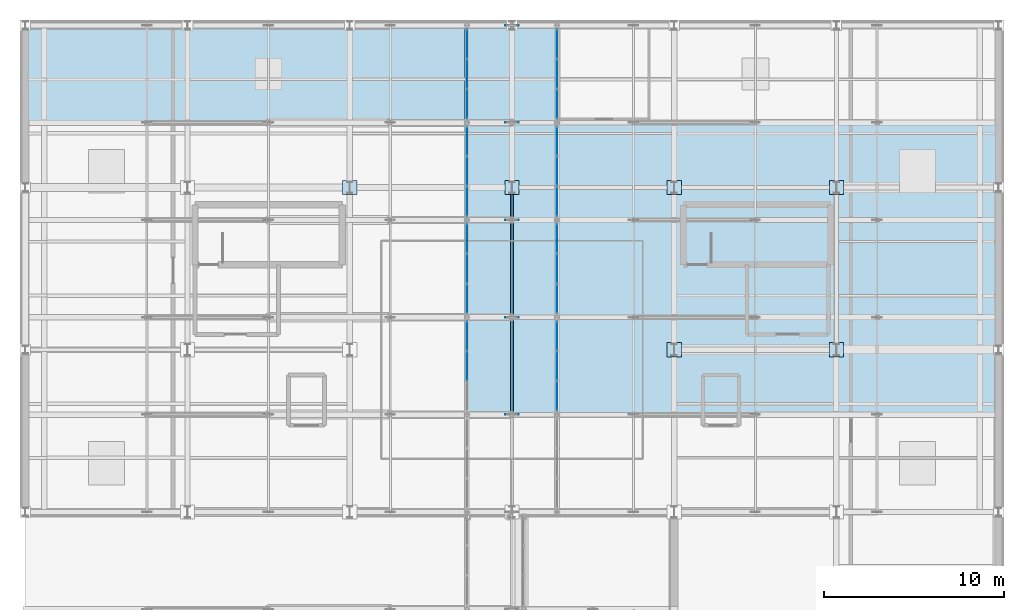
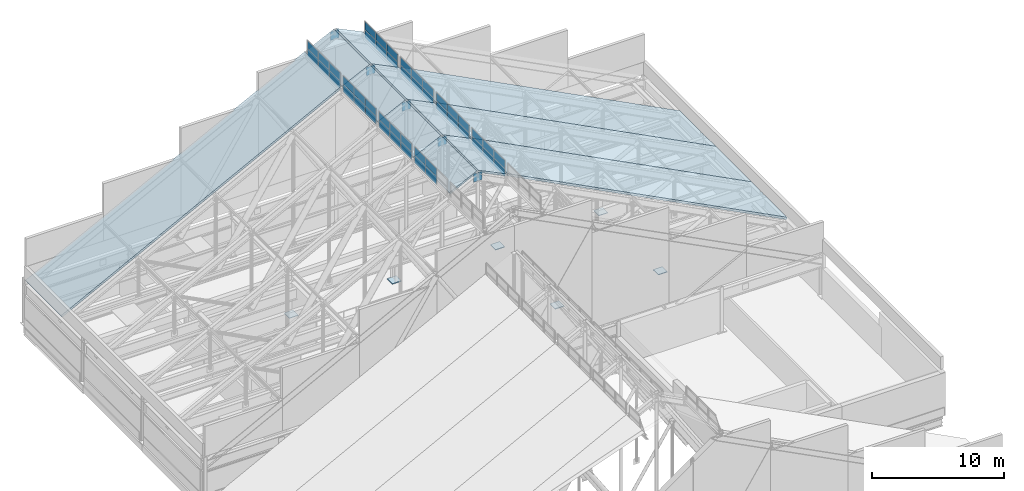
# One storey, part 71 of 84: 57 plates, 12 slabs, 8 elements without a shape of their own.
"""IFC4 building model written with IfcOpenShell, lengths in metres."""

import ifcopenshell
import ifcopenshell.guid

model = None  # the IFC model being written
_history = None  # IfcOwnerHistory: only IFC2X3 demands one
_inside = {}  # id of a spatial element -> (the spatial element, [elements in it])
_under = {}  # id of a project, library or spatial element -> (it, [spatial elements below it])
_declared = {}  # id of a project -> (the project, [libraries it declares])
_typed = {}  # id of a type object -> (the type object, [elements of that type])
_made_of = {}  # id of a material, layer set ... -> (it, [elements and type objects made of it])


def new_model(schema):
    """Start an empty IFC model of exactly this schema.

    Asked for "IFC4X3", IfcOpenShell would pick the latest addendum, in which some entities
    have other attributes; the version numbers below select the first issue.
    IFC2X3 requires an IfcOwnerHistory on every rooted entity: one is made here for all.
    """
    global model, _history
    if schema == "IFC4X3":
        model = ifcopenshell.file(schema_version=(4, 3, 0, 0))
    else:
        model = ifcopenshell.file(schema=schema)
    _inside.clear()
    _under.clear()
    _declared.clear()
    _typed.clear()
    _made_of.clear()
    _history = None
    if model.schema == "IFC2X3":
        org = make("IfcOrganization", Name="unknown")
        user = make(
            "IfcPersonAndOrganization",
            ThePerson=make("IfcPerson", FamilyName="unknown"),
            TheOrganization=org,
        )
        app = make(
            "IfcApplication",
            ApplicationDeveloper=org,
            Version="unknown",
            ApplicationFullName="unknown",
            ApplicationIdentifier="unknown",
        )
        _history = make(
            "IfcOwnerHistory",
            OwningUser=user,
            OwningApplication=app,
            ChangeAction="ADDED",
            CreationDate=0,
        )
    return model


def make(cls, **values):
    """One entity of the class cls with the attributes given. An attribute that is None is left unset."""
    return model.create_entity(
        cls, **{name: value for name, value in values.items() if value is not None}
    )


def rooted(cls, **values):
    """An entity with a GlobalId (a new one), such as an element, a storey or a relation."""
    return make(cls, GlobalId=ifcopenshell.guid.new(), OwnerHistory=_history, **values)


def si_unit(unit_type, name, prefix=None):
    """IfcSIUnit, for example si_unit("LENGTHUNIT", "METRE", prefix="MILLI")."""
    return make("IfcSIUnit", UnitType=unit_type, Prefix=prefix, Name=name)


def assignment(units):
    """IfcUnitAssignment: the units of a project."""
    return None if units is None else make("IfcUnitAssignment", Units=units)


def point(xyz):
    """IfcCartesianPoint."""
    return None if xyz is None else make("IfcCartesianPoint", Coordinates=xyz)


def direction(xyz):
    """IfcDirection."""
    return None if xyz is None else make("IfcDirection", DirectionRatios=xyz)


def frame(location, z_axis=None, x_axis=None):
    """IfcAxis2Placement3D, a coordinate frame: its origin and axes. An axis left out is left unset."""
    return make(
        "IfcAxis2Placement3D",
        Location=point(location),
        Axis=direction(z_axis),
        RefDirection=direction(x_axis),
    )


def frame_2d(location, x_axis=None):
    """IfcAxis2Placement2D, a coordinate frame in the plane: its origin and x axis."""
    return make(
        "IfcAxis2Placement2D", Location=point(location), RefDirection=direction(x_axis)
    )


def origin():
    """The frame at (0, 0, 0) with its axes left unset."""
    return frame((0.0, 0.0, 0.0))


def origin_2d():
    """The frame at (0, 0) in the plane with its x axis left unset."""
    return frame_2d((0.0, 0.0))


def place(relative_to, where):
    """IfcLocalPlacement: puts the frame where relative to a parent placement (None: the world)."""
    return make(
        "IfcLocalPlacement", PlacementRelTo=relative_to, RelativePlacement=where
    )


def context(
    kind, dimensions, precision=None, world=None, true_north=None, identifier=None
):
    """IfcGeometricRepresentationContext, for example the 3D "Model" context."""
    return make(
        "IfcGeometricRepresentationContext",
        ContextIdentifier=identifier,
        ContextType=kind,
        CoordinateSpaceDimension=dimensions,
        Precision=precision,
        WorldCoordinateSystem=world,
        TrueNorth=true_north,
    )


def subcontext(parent, identifier, kind, view, scale=None):
    """IfcGeometricRepresentationSubContext, for example "Body" below "Model"."""
    return make(
        "IfcGeometricRepresentationSubContext",
        ContextIdentifier=identifier,
        ContextType=kind,
        ParentContext=parent,
        TargetScale=scale,
        TargetView=view,
    )


def project(units=None, contexts=None):
    """IfcProject with its units and contexts."""
    return rooted(
        "IfcProject",
        Name="project",
        RepresentationContexts=contexts,
        UnitsInContext=assignment(units),
    )


def spatial(cls, under=None, at=None, **own):
    """A site, building, storey or space (cls), placed at a placement, below another one or the project."""
    s = rooted(cls, ObjectPlacement=at, **own)
    if under is not None:
        _under.setdefault(under.id(), (under, []))[1].append(s)
    return s


def polyline(points):
    """IfcPolyline through the points."""
    return make("IfcPolyline", Points=[point(p) for p in points])


def profile(cls, at=None, kind="AREA", **sizes):
    """A parametric profile (cls). Its sizes go by their IFC names, for example OverallWidth=200.0."""
    return make(cls, ProfileType=kind, Position=at, **sizes)


def rectangle(**sizes):
    """IfcRectangleProfileDef."""
    return profile("IfcRectangleProfileDef", **sizes)


def outline(outer, holes=None, kind="AREA"):
    """IfcArbitraryClosedProfileDef: a profile drawn as a closed curve; with holes, ...WithVoids."""
    if holes is None:
        return make("IfcArbitraryClosedProfileDef", ProfileType=kind, OuterCurve=outer)
    return make(
        "IfcArbitraryProfileDefWithVoids",
        ProfileType=kind,
        OuterCurve=outer,
        InnerCurves=holes,
    )


def extrude(swept, where, along, depth):
    """IfcExtrudedAreaSolid: the profile swept, set in the frame where, extruded along a direction by depth."""
    return make(
        "IfcExtrudedAreaSolid",
        SweptArea=swept,
        Position=where,
        ExtrudedDirection=direction(along),
        Depth=depth,
    )


def shape(context_of_items, identifier, shape_type, items):
    """IfcShapeRepresentation: the items that make up one representation, for example the "Body"."""
    return make(
        "IfcShapeRepresentation",
        ContextOfItems=context_of_items,
        RepresentationIdentifier=identifier,
        RepresentationType=shape_type,
        Items=items,
    )


def material(Name=None, Category=None):
    """IfcMaterial."""
    return make("IfcMaterial", Name=Name, Category=Category)


def layer(
    of_material, thickness, ventilated=None, Name=None, Category=None, Priority=None
):
    """IfcMaterialLayer: one layer of a wall or slab, of a material (None: an air gap)."""
    return make(
        "IfcMaterialLayer",
        Material=of_material,
        LayerThickness=thickness,
        IsVentilated=ventilated,
        Name=Name,
        Category=Category,
        Priority=Priority,
    )


def layer_set(layers, Name=None):
    """IfcMaterialLayerSet."""
    return make("IfcMaterialLayerSet", MaterialLayers=layers, LayerSetName=Name)


def made_of(thing, what):
    """Note that an element or type object is made of a material, layer set ...; save() writes the relation."""
    if what is not None:
        _made_of.setdefault(what.id(), (what, []))[1].append(thing)
    return thing


def type_object(cls, material=None, **own):
    """A type object (cls), such as IfcWallType, which elements share."""
    return made_of(rooted(cls, **own), material)


def element(
    cls,
    number,
    at=None,
    inside=None,
    cuts=None,
    type_object=None,
    material=None,
    context=None,
    identifier="Body",
    shape_type=None,
    held_by="IfcProductDefinitionShape",
    body=None,
    shapes=None,
    **own,
):
    """One element of the class cls, such as IfcWall. Its Tag is "e" and its number.

    at: its placement. inside: the storey or other place that contains it. cuts: it is an
    opening in that element (IfcRelVoidsElement). A single representation is given by context,
    identifier, shape_type and body (its items); several are given by shapes. held_by: the class
    of the entity that holds the representations. save() writes the other relations.
    """
    e = rooted(cls, Tag="e%d" % number, ObjectPlacement=at, **own)
    if body is not None:
        shapes = [shape(context, identifier, shape_type, body)]
    if shapes is not None:
        e.Representation = make(held_by, Representations=shapes)
    if inside is not None:
        _inside.setdefault(inside.id(), (inside, []))[1].append(e)
    if cuts is not None:
        rooted(
            "IfcRelVoidsElement", RelatingBuildingElement=cuts, RelatedOpeningElement=e
        )
    if type_object is not None:
        _typed.setdefault(type_object.id(), (type_object, []))[1].append(e)
    return made_of(e, material)


def aggregate(whole, parts):
    """IfcRelAggregates: a whole, such as a stair, and the parts it consists of."""
    return rooted("IfcRelAggregates", RelatingObject=whole, RelatedObjects=parts)


def save(model, path):
    """Write the relations noted so far, then the file.

    IfcRelAggregates (storeys below a building ...), IfcRelContainedInSpatialStructure (elements
    in a storey), IfcRelDefinesByType, IfcRelAssociatesMaterial and IfcRelDeclares: one each for
    every whole, place, type object, material and project.
    """
    for whole, parts in _under.values():
        aggregate(whole, parts)
    for where, things in _inside.values():
        rooted(
            "IfcRelContainedInSpatialStructure",
            RelatedElements=things,
            RelatingStructure=where,
        )
    for kind, things in _typed.values():
        rooted("IfcRelDefinesByType", RelatedObjects=things, RelatingType=kind)
    for what, things in _made_of.values():
        rooted("IfcRelAssociatesMaterial", RelatedObjects=things, RelatingMaterial=what)
    for by, libraries in _declared.values():
        rooted("IfcRelDeclares", RelatingContext=by, RelatedDefinitions=libraries)
    model.write(path)


model = new_model("IFC4")

# Units and contexts
model_context = context("Model", 3, precision=1e-05, world=origin(), true_north=direction((0.0, 1.0)))
body_context = subcontext(model_context, "Body", "Model", "MODEL_VIEW")
ifc_project = project(units=[si_unit("LENGTHUNIT", "METRE"), si_unit("AREAUNIT", "SQUARE_METRE"), si_unit("VOLUMEUNIT", "CUBIC_METRE"), si_unit("PLANEANGLEUNIT", "RADIAN"), si_unit("MASSUNIT", "GRAM", prefix="KILO")], contexts=[model_context])

# Site, building, storey
site_placement = place(None, origin())
site = spatial("IfcSite", under=ifc_project, at=site_placement, CompositionType="ELEMENT")
building_placement = place(site_placement, origin())
building = spatial("IfcBuilding", under=site, at=building_placement, Name="Sundgate Opera House", CompositionType="ELEMENT")
storey_placement = place(building_placement, frame((0.0, 0.0, 30.60009765625)))
storey = spatial("IfcBuildingStorey", under=building, at=storey_placement, Name="L06", CompositionType="ELEMENT", Elevation=30.60009765625)

# Curtain wall, plates
ifc_material_1 = material(Name="Anodized aluminium and low-iron glass", Category="aluminium")
ifc_layer_1 = layer(ifc_material_1, 0.169921875)
ifc_layer_set_1 = layer_set([ifc_layer_1], Name="Anodized aluminium and low-iron glass")
curtain_wall_type = type_object("IfcCurtainWallType", Name="CW-LANTERN-POLY", PredefinedType="NOTDEFINED", material=ifc_layer_set_1)
curtain_wall_1_placement = place(storey_placement, origin())
curtain_wall_1 = element("IfcCurtainWall", 1, at=curtain_wall_1_placement, inside=storey, type_object=curtain_wall_type, Name="L06 Curtain Wall CW181", PredefinedType="NOTDEFINED")
ifc_material_2 = material(Name="Polychrome stained-glass skylight glazing", Category="glass")
ifc_layer_2 = layer(ifc_material_2, 0.028076171875)
ifc_layer_set_2 = layer_set([ifc_layer_2], Name="Polychrome stained-glass skylight glazing")
plate_type_1 = type_object("IfcPlateType", Name="CWP-POLY-28", PredefinedType="CURTAIN_PANEL", material=ifc_layer_set_2)
plate_1_placement = place(storey_placement, frame((51.5, 69.7666015625, 16.219970703125), z_axis=(0.0, 0.0, 1.0), x_axis=(0.0, -1.0, 0.0)))
plate_1 = element("IfcPlate", 2, at=plate_1_placement, type_object=plate_type_1, Name="CW181 Panel 1", PredefinedType="CURTAIN_PANEL", context=body_context, shape_type="SweptSolid", body=[
    extrude(rectangle(XDim=1.626708984375, YDim=0.028076171875, at=origin_2d()), origin(), (0.0, 0.0, 1.0), 0.7099609375),
])
plate_2_placement = place(storey_placement, frame((51.5, 69.7666015625, 16.969970703125), z_axis=(0.0, 0.0, 1.0), x_axis=(0.0, -1.0, 0.0)))
plate_2 = element("IfcPlate", 3, at=plate_2_placement, type_object=plate_type_1, Name="CW181 Panel 2", PredefinedType="CURTAIN_PANEL", context=body_context, shape_type="SweptSolid", body=[
    extrude(rectangle(XDim=1.626708984375, YDim=0.028076171875, at=origin_2d()), origin(), (0.0, 0.0, 1.0), 0.7099609375),
])
plate_3_placement = place(storey_placement, frame((51.5, 68.10009765625, 16.219970703125), z_axis=(0.0, 0.0, 1.0), x_axis=(0.0, -1.0, 0.0)))
plate_3 = element("IfcPlate", 4, at=plate_3_placement, type_object=plate_type_1, Name="CW181 Panel 3", PredefinedType="CURTAIN_PANEL", context=body_context, shape_type="SweptSolid", body=[
    extrude(rectangle(XDim=1.626708984375, YDim=0.028076171875, at=origin_2d()), origin(), (0.0, 0.0, 1.0), 0.7099609375),
])
plate_4_placement = place(storey_placement, frame((51.5, 68.10009765625, 16.969970703125), z_axis=(0.0, 0.0, 1.0), x_axis=(0.0, -1.0, 0.0)))
plate_4 = element("IfcPlate", 5, at=plate_4_placement, type_object=plate_type_1, Name="CW181 Panel 4", PredefinedType="CURTAIN_PANEL", context=body_context, shape_type="SweptSolid", body=[
    extrude(rectangle(XDim=1.626708984375, YDim=0.028076171875, at=origin_2d()), origin(), (0.0, 0.0, 1.0), 0.7099609375),
])
aggregate(curtain_wall_1, [plate_1, plate_2, plate_3, plate_4])

curtain_wall_2_placement = place(storey_placement, origin())
curtain_wall_2 = element("IfcCurtainWall", 6, at=curtain_wall_2_placement, inside=storey, type_object=curtain_wall_type, Name="L06 Curtain Wall CW182", PredefinedType="NOTDEFINED")
plate_5_placement = place(storey_placement, frame((56.5, 66.433349609375, 16.219970703125), z_axis=(0.0, 0.0, 1.0), x_axis=(0.0, 1.0, 0.0)))
plate_5 = element("IfcPlate", 7, at=plate_5_placement, type_object=plate_type_1, Name="CW182 Panel 1", PredefinedType="CURTAIN_PANEL", context=body_context, shape_type="SweptSolid", body=[
    extrude(rectangle(XDim=1.626708984375, YDim=0.028076171875, at=origin_2d()), origin(), (0.0, 0.0, 1.0), 0.7099609375),
])
plate_6_placement = place(storey_placement, frame((56.5, 66.433349609375, 16.969970703125), z_axis=(0.0, 0.0, 1.0), x_axis=(0.0, 1.0, 0.0)))
plate_6 = element("IfcPlate", 8, at=plate_6_placement, type_object=plate_type_1, Name="CW182 Panel 2", PredefinedType="CURTAIN_PANEL", context=body_context, shape_type="SweptSolid", body=[
    extrude(rectangle(XDim=1.626708984375, YDim=0.028076171875, at=origin_2d()), origin(), (0.0, 0.0, 1.0), 0.7099609375),
])
plate_7_placement = place(storey_placement, frame((56.5, 68.10009765625, 16.219970703125), z_axis=(0.0, 0.0, 1.0), x_axis=(0.0, 1.0, 0.0)))
plate_7 = element("IfcPlate", 9, at=plate_7_placement, type_object=plate_type_1, Name="CW182 Panel 3", PredefinedType="CURTAIN_PANEL", context=body_context, shape_type="SweptSolid", body=[
    extrude(rectangle(XDim=1.626708984375, YDim=0.028076171875, at=origin_2d()), origin(), (0.0, 0.0, 1.0), 0.7099609375),
])
plate_8_placement = place(storey_placement, frame((56.5, 68.10009765625, 16.969970703125), z_axis=(0.0, 0.0, 1.0), x_axis=(0.0, 1.0, 0.0)))
plate_8 = element("IfcPlate", 10, at=plate_8_placement, type_object=plate_type_1, Name="CW182 Panel 4", PredefinedType="CURTAIN_PANEL", context=body_context, shape_type="SweptSolid", body=[
    extrude(rectangle(XDim=1.626708984375, YDim=0.028076171875, at=origin_2d()), origin(), (0.0, 0.0, 1.0), 0.7099609375),
])
plate_9_placement = place(storey_placement, frame((56.5, 69.7666015625, 16.219970703125), z_axis=(0.0, 0.0, 1.0), x_axis=(0.0, 1.0, 0.0)))
plate_9 = element("IfcPlate", 11, at=plate_9_placement, type_object=plate_type_1, Name="CW182 Panel 5", PredefinedType="CURTAIN_PANEL", context=body_context, shape_type="SweptSolid", body=[
    extrude(rectangle(XDim=1.626708984375, YDim=0.028076171875, at=origin_2d()), origin(), (0.0, 0.0, 1.0), 0.7099609375),
])
plate_10_placement = place(storey_placement, frame((56.5, 69.7666015625, 16.969970703125), z_axis=(0.0, 0.0, 1.0), x_axis=(0.0, 1.0, 0.0)))
plate_10 = element("IfcPlate", 12, at=plate_10_placement, type_object=plate_type_1, Name="CW182 Panel 6", PredefinedType="CURTAIN_PANEL", context=body_context, shape_type="SweptSolid", body=[
    extrude(rectangle(XDim=1.626708984375, YDim=0.028076171875, at=origin_2d()), origin(), (0.0, 0.0, 1.0), 0.7099609375),
])
aggregate(curtain_wall_2, [plate_5, plate_6, plate_7, plate_8, plate_9, plate_10])

curtain_wall_3_placement = place(storey_placement, origin())
curtain_wall_3 = element("IfcCurtainWall", 13, at=curtain_wall_3_placement, inside=storey, type_object=curtain_wall_type, Name="L06 Curtain Wall CW183", PredefinedType="NOTDEFINED")
plate_11_placement = place(storey_placement, frame((51.5, 75.166748046875, 16.219970703125), z_axis=(0.0, 0.0, 1.0), x_axis=(0.0, -1.0, 0.0)))
plate_11 = element("IfcPlate", 14, at=plate_11_placement, type_object=plate_type_1, Name="CW183 Panel 1", PredefinedType="CURTAIN_PANEL", context=body_context, shape_type="SweptSolid", body=[
    extrude(rectangle(XDim=1.626708984375, YDim=0.028076171875, at=origin_2d()), origin(), (0.0, 0.0, 1.0), 0.7099609375),
])
plate_12_placement = place(storey_placement, frame((51.5, 75.166748046875, 16.969970703125), z_axis=(0.0, 0.0, 1.0), x_axis=(0.0, -1.0, 0.0)))
plate_12 = element("IfcPlate", 15, at=plate_12_placement, type_object=plate_type_1, Name="CW183 Panel 2", PredefinedType="CURTAIN_PANEL", context=body_context, shape_type="SweptSolid", body=[
    extrude(rectangle(XDim=1.626708984375, YDim=0.028076171875, at=origin_2d()), origin(), (0.0, 0.0, 1.0), 0.7099609375),
])
plate_13_placement = place(storey_placement, frame((51.5, 73.5, 16.219970703125), z_axis=(0.0, 0.0, 1.0), x_axis=(0.0, -1.0, 0.0)))
plate_13 = element("IfcPlate", 16, at=plate_13_placement, type_object=plate_type_1, Name="CW183 Panel 3", PredefinedType="CURTAIN_PANEL", context=body_context, shape_type="SweptSolid", body=[
    extrude(rectangle(XDim=1.626708984375, YDim=0.028076171875, at=origin_2d()), origin(), (0.0, 0.0, 1.0), 0.7099609375),
])
plate_14_placement = place(storey_placement, frame((51.5, 73.5, 16.969970703125), z_axis=(0.0, 0.0, 1.0), x_axis=(0.0, -1.0, 0.0)))
plate_14 = element("IfcPlate", 17, at=plate_14_placement, type_object=plate_type_1, Name="CW183 Panel 4", PredefinedType="CURTAIN_PANEL", context=body_context, shape_type="SweptSolid", body=[
    extrude(rectangle(XDim=1.626708984375, YDim=0.028076171875, at=origin_2d()), origin(), (0.0, 0.0, 1.0), 0.7099609375),
])
plate_15_placement = place(storey_placement, frame((51.5, 71.833251953125, 16.219970703125), z_axis=(0.0, 0.0, 1.0), x_axis=(0.0, -1.0, 0.0)))
plate_15 = element("IfcPlate", 18, at=plate_15_placement, type_object=plate_type_1, Name="CW183 Panel 5", PredefinedType="CURTAIN_PANEL", context=body_context, shape_type="SweptSolid", body=[
    extrude(rectangle(XDim=1.626708984375, YDim=0.028076171875, at=origin_2d()), origin(), (0.0, 0.0, 1.0), 0.7099609375),
])
plate_16_placement = place(storey_placement, frame((51.5, 71.833251953125, 16.969970703125), z_axis=(0.0, 0.0, 1.0), x_axis=(0.0, -1.0, 0.0)))
plate_16 = element("IfcPlate", 19, at=plate_16_placement, type_object=plate_type_1, Name="CW183 Panel 6", PredefinedType="CURTAIN_PANEL", context=body_context, shape_type="SweptSolid", body=[
    extrude(rectangle(XDim=1.626708984375, YDim=0.028076171875, at=origin_2d()), origin(), (0.0, 0.0, 1.0), 0.7099609375),
])
aggregate(curtain_wall_3, [plate_11, plate_12, plate_13, plate_14, plate_15, plate_16])

curtain_wall_4_placement = place(storey_placement, origin())
curtain_wall_4 = element("IfcCurtainWall", 20, at=curtain_wall_4_placement, inside=storey, type_object=curtain_wall_type, Name="L06 Curtain Wall CW184", PredefinedType="NOTDEFINED")
plate_17_placement = place(storey_placement, frame((56.5, 71.833251953125, 16.219970703125), z_axis=(0.0, 0.0, 1.0), x_axis=(0.0, 1.0, 0.0)))
plate_17 = element("IfcPlate", 21, at=plate_17_placement, type_object=plate_type_1, Name="CW184 Panel 1", PredefinedType="CURTAIN_PANEL", context=body_context, shape_type="SweptSolid", body=[
    extrude(rectangle(XDim=1.626708984375, YDim=0.028076171875, at=origin_2d()), origin(), (0.0, 0.0, 1.0), 0.7099609375),
])
plate_18_placement = place(storey_placement, frame((56.5, 71.833251953125, 16.969970703125), z_axis=(0.0, 0.0, 1.0), x_axis=(0.0, 1.0, 0.0)))
plate_18 = element("IfcPlate", 22, at=plate_18_placement, type_object=plate_type_1, Name="CW184 Panel 2", PredefinedType="CURTAIN_PANEL", context=body_context, shape_type="SweptSolid", body=[
    extrude(rectangle(XDim=1.626708984375, YDim=0.028076171875, at=origin_2d()), origin(), (0.0, 0.0, 1.0), 0.7099609375),
])
plate_19_placement = place(storey_placement, frame((56.5, 73.5, 16.219970703125), z_axis=(0.0, 0.0, 1.0), x_axis=(0.0, 1.0, 0.0)))
plate_19 = element("IfcPlate", 23, at=plate_19_placement, type_object=plate_type_1, Name="CW184 Panel 3", PredefinedType="CURTAIN_PANEL", context=body_context, shape_type="SweptSolid", body=[
    extrude(rectangle(XDim=1.626708984375, YDim=0.028076171875, at=origin_2d()), origin(), (0.0, 0.0, 1.0), 0.7099609375),
])
plate_20_placement = place(storey_placement, frame((56.5, 73.5, 16.969970703125), z_axis=(0.0, 0.0, 1.0), x_axis=(0.0, 1.0, 0.0)))
plate_20 = element("IfcPlate", 24, at=plate_20_placement, type_object=plate_type_1, Name="CW184 Panel 4", PredefinedType="CURTAIN_PANEL", context=body_context, shape_type="SweptSolid", body=[
    extrude(rectangle(XDim=1.626708984375, YDim=0.028076171875, at=origin_2d()), origin(), (0.0, 0.0, 1.0), 0.7099609375),
])
plate_21_placement = place(storey_placement, frame((56.5, 75.166748046875, 16.219970703125), z_axis=(0.0, 0.0, 1.0), x_axis=(0.0, 1.0, 0.0)))
plate_21 = element("IfcPlate", 25, at=plate_21_placement, type_object=plate_type_1, Name="CW184 Panel 5", PredefinedType="CURTAIN_PANEL", context=body_context, shape_type="SweptSolid", body=[
    extrude(rectangle(XDim=1.626708984375, YDim=0.028076171875, at=origin_2d()), origin(), (0.0, 0.0, 1.0), 0.7099609375),
])
plate_22_placement = place(storey_placement, frame((56.5, 75.166748046875, 16.969970703125), z_axis=(0.0, 0.0, 1.0), x_axis=(0.0, 1.0, 0.0)))
plate_22 = element("IfcPlate", 26, at=plate_22_placement, type_object=plate_type_1, Name="CW184 Panel 6", PredefinedType="CURTAIN_PANEL", context=body_context, shape_type="SweptSolid", body=[
    extrude(rectangle(XDim=1.626708984375, YDim=0.028076171875, at=origin_2d()), origin(), (0.0, 0.0, 1.0), 0.7099609375),
])
aggregate(curtain_wall_4, [plate_17, plate_18, plate_19, plate_20, plate_21, plate_22])

curtain_wall_5_placement = place(storey_placement, origin())
curtain_wall_5 = element("IfcCurtainWall", 27, at=curtain_wall_5_placement, inside=storey, type_object=curtain_wall_type, Name="L06 Curtain Wall CW185", PredefinedType="NOTDEFINED")
plate_23_placement = place(storey_placement, frame((51.5, 80.566650390625, 16.219970703125), z_axis=(0.0, 0.0, 1.0), x_axis=(0.0, -1.0, 0.0)))
plate_23 = element("IfcPlate", 28, at=plate_23_placement, type_object=plate_type_1, Name="CW185 Panel 1", PredefinedType="CURTAIN_PANEL", context=body_context, shape_type="SweptSolid", body=[
    extrude(rectangle(XDim=1.626708984375, YDim=0.028076171875, at=origin_2d()), origin(), (0.0, 0.0, 1.0), 0.7099609375),
])
plate_24_placement = place(storey_placement, frame((51.5, 80.566650390625, 16.969970703125), z_axis=(0.0, 0.0, 1.0), x_axis=(0.0, -1.0, 0.0)))
plate_24 = element("IfcPlate", 29, at=plate_24_placement, type_object=plate_type_1, Name="CW185 Panel 2", PredefinedType="CURTAIN_PANEL", context=body_context, shape_type="SweptSolid", body=[
    extrude(rectangle(XDim=1.626708984375, YDim=0.028076171875, at=origin_2d()), origin(), (0.0, 0.0, 1.0), 0.7099609375),
])
plate_25_placement = place(storey_placement, frame((51.5, 78.89990234375, 16.219970703125), z_axis=(0.0, 0.0, 1.0), x_axis=(0.0, -1.0, 0.0)))
plate_25 = element("IfcPlate", 30, at=plate_25_placement, type_object=plate_type_1, Name="CW185 Panel 3", PredefinedType="CURTAIN_PANEL", context=body_context, shape_type="SweptSolid", body=[
    extrude(rectangle(XDim=1.626708984375, YDim=0.028076171875, at=origin_2d()), origin(), (0.0, 0.0, 1.0), 0.7099609375),
])
plate_26_placement = place(storey_placement, frame((51.5, 78.89990234375, 16.969970703125), z_axis=(0.0, 0.0, 1.0), x_axis=(0.0, -1.0, 0.0)))
plate_26 = element("IfcPlate", 31, at=plate_26_placement, type_object=plate_type_1, Name="CW185 Panel 4", PredefinedType="CURTAIN_PANEL", context=body_context, shape_type="SweptSolid", body=[
    extrude(rectangle(XDim=1.626708984375, YDim=0.028076171875, at=origin_2d()), origin(), (0.0, 0.0, 1.0), 0.7099609375),
])
plate_27_placement = place(storey_placement, frame((51.5, 77.2333984375, 16.219970703125), z_axis=(0.0, 0.0, 1.0), x_axis=(0.0, -1.0, 0.0)))
plate_27 = element("IfcPlate", 32, at=plate_27_placement, type_object=plate_type_1, Name="CW185 Panel 5", PredefinedType="CURTAIN_PANEL", context=body_context, shape_type="SweptSolid", body=[
    extrude(rectangle(XDim=1.626708984375, YDim=0.028076171875, at=origin_2d()), origin(), (0.0, 0.0, 1.0), 0.7099609375),
])
plate_28_placement = place(storey_placement, frame((51.5, 77.2333984375, 16.969970703125), z_axis=(0.0, 0.0, 1.0), x_axis=(0.0, -1.0, 0.0)))
plate_28 = element("IfcPlate", 33, at=plate_28_placement, type_object=plate_type_1, Name="CW185 Panel 6", PredefinedType="CURTAIN_PANEL", context=body_context, shape_type="SweptSolid", body=[
    extrude(rectangle(XDim=1.626708984375, YDim=0.028076171875, at=origin_2d()), origin(), (0.0, 0.0, 1.0), 0.7099609375),
])
aggregate(curtain_wall_5, [plate_23, plate_24, plate_25, plate_26, plate_27, plate_28])

curtain_wall_6_placement = place(storey_placement, origin())
curtain_wall_6 = element("IfcCurtainWall", 34, at=curtain_wall_6_placement, inside=storey, type_object=curtain_wall_type, Name="L06 Curtain Wall CW186", PredefinedType="NOTDEFINED")
plate_29_placement = place(storey_placement, frame((56.5, 77.2333984375, 16.219970703125), z_axis=(0.0, 0.0, 1.0), x_axis=(0.0, 1.0, 0.0)))
plate_29 = element("IfcPlate", 35, at=plate_29_placement, type_object=plate_type_1, Name="CW186 Panel 1", PredefinedType="CURTAIN_PANEL", context=body_context, shape_type="SweptSolid", body=[
    extrude(rectangle(XDim=1.626708984375, YDim=0.028076171875, at=origin_2d()), origin(), (0.0, 0.0, 1.0), 0.7099609375),
])
plate_30_placement = place(storey_placement, frame((56.5, 77.2333984375, 16.969970703125), z_axis=(0.0, 0.0, 1.0), x_axis=(0.0, 1.0, 0.0)))
plate_30 = element("IfcPlate", 36, at=plate_30_placement, type_object=plate_type_1, Name="CW186 Panel 2", PredefinedType="CURTAIN_PANEL", context=body_context, shape_type="SweptSolid", body=[
    extrude(rectangle(XDim=1.626708984375, YDim=0.028076171875, at=origin_2d()), origin(), (0.0, 0.0, 1.0), 0.7099609375),
])
plate_31_placement = place(storey_placement, frame((56.5, 78.89990234375, 16.219970703125), z_axis=(0.0, 0.0, 1.0), x_axis=(0.0, 1.0, 0.0)))
plate_31 = element("IfcPlate", 37, at=plate_31_placement, type_object=plate_type_1, Name="CW186 Panel 3", PredefinedType="CURTAIN_PANEL", context=body_context, shape_type="SweptSolid", body=[
    extrude(rectangle(XDim=1.626708984375, YDim=0.028076171875, at=origin_2d()), origin(), (0.0, 0.0, 1.0), 0.7099609375),
])
plate_32_placement = place(storey_placement, frame((56.5, 78.89990234375, 16.969970703125), z_axis=(0.0, 0.0, 1.0), x_axis=(0.0, 1.0, 0.0)))
plate_32 = element("IfcPlate", 38, at=plate_32_placement, type_object=plate_type_1, Name="CW186 Panel 4", PredefinedType="CURTAIN_PANEL", context=body_context, shape_type="SweptSolid", body=[
    extrude(rectangle(XDim=1.626708984375, YDim=0.028076171875, at=origin_2d()), origin(), (0.0, 0.0, 1.0), 0.7099609375),
])
plate_33_placement = place(storey_placement, frame((56.5, 80.566650390625, 16.219970703125), z_axis=(0.0, 0.0, 1.0), x_axis=(0.0, 1.0, 0.0)))
plate_33 = element("IfcPlate", 39, at=plate_33_placement, type_object=plate_type_1, Name="CW186 Panel 5", PredefinedType="CURTAIN_PANEL", context=body_context, shape_type="SweptSolid", body=[
    extrude(rectangle(XDim=1.626708984375, YDim=0.028076171875, at=origin_2d()), origin(), (0.0, 0.0, 1.0), 0.7099609375),
])
plate_34_placement = place(storey_placement, frame((56.5, 80.566650390625, 16.969970703125), z_axis=(0.0, 0.0, 1.0), x_axis=(0.0, 1.0, 0.0)))
plate_34 = element("IfcPlate", 40, at=plate_34_placement, type_object=plate_type_1, Name="CW186 Panel 6", PredefinedType="CURTAIN_PANEL", context=body_context, shape_type="SweptSolid", body=[
    extrude(rectangle(XDim=1.626708984375, YDim=0.028076171875, at=origin_2d()), origin(), (0.0, 0.0, 1.0), 0.7099609375),
])
aggregate(curtain_wall_6, [plate_29, plate_30, plate_31, plate_32, plate_33, plate_34])

curtain_wall_7_placement = place(storey_placement, origin())
curtain_wall_7 = element("IfcCurtainWall", 41, at=curtain_wall_7_placement, inside=storey, type_object=curtain_wall_type, Name="L06 Curtain Wall CW187", PredefinedType="NOTDEFINED")
plate_35_placement = place(storey_placement, frame((51.5, 85.966552734375, 16.219970703125), z_axis=(0.0, 0.0, 1.0), x_axis=(0.0, -1.0, 0.0)))
plate_35 = element("IfcPlate", 42, at=plate_35_placement, type_object=plate_type_1, Name="CW187 Panel 1", PredefinedType="CURTAIN_PANEL", context=body_context, shape_type="SweptSolid", body=[
    extrude(rectangle(XDim=1.626708984375, YDim=0.028076171875, at=origin_2d()), origin(), (0.0, 0.0, 1.0), 0.7099609375),
])
plate_36_placement = place(storey_placement, frame((51.5, 85.966552734375, 16.969970703125), z_axis=(0.0, 0.0, 1.0), x_axis=(0.0, -1.0, 0.0)))
plate_36 = element("IfcPlate", 43, at=plate_36_placement, type_object=plate_type_1, Name="CW187 Panel 2", PredefinedType="CURTAIN_PANEL", context=body_context, shape_type="SweptSolid", body=[
    extrude(rectangle(XDim=1.626708984375, YDim=0.028076171875, at=origin_2d()), origin(), (0.0, 0.0, 1.0), 0.7099609375),
])
plate_37_placement = place(storey_placement, frame((51.5, 84.300048828125, 16.219970703125), z_axis=(0.0, 0.0, 1.0), x_axis=(0.0, -1.0, 0.0)))
plate_37 = element("IfcPlate", 44, at=plate_37_placement, type_object=plate_type_1, Name="CW187 Panel 3", PredefinedType="CURTAIN_PANEL", context=body_context, shape_type="SweptSolid", body=[
    extrude(rectangle(XDim=1.626708984375, YDim=0.028076171875, at=origin_2d()), origin(), (0.0, 0.0, 1.0), 0.7099609375),
])
plate_38_placement = place(storey_placement, frame((51.5, 84.300048828125, 16.969970703125), z_axis=(0.0, 0.0, 1.0), x_axis=(0.0, -1.0, 0.0)))
plate_38 = element("IfcPlate", 45, at=plate_38_placement, type_object=plate_type_1, Name="CW187 Panel 4", PredefinedType="CURTAIN_PANEL", context=body_context, shape_type="SweptSolid", body=[
    extrude(rectangle(XDim=1.626708984375, YDim=0.028076171875, at=origin_2d()), origin(), (0.0, 0.0, 1.0), 0.7099609375),
])
plate_39_placement = place(storey_placement, frame((51.5, 82.63330078125, 16.219970703125), z_axis=(0.0, 0.0, 1.0), x_axis=(0.0, -1.0, 0.0)))
plate_39 = element("IfcPlate", 46, at=plate_39_placement, type_object=plate_type_1, Name="CW187 Panel 5", PredefinedType="CURTAIN_PANEL", context=body_context, shape_type="SweptSolid", body=[
    extrude(rectangle(XDim=1.626708984375, YDim=0.028076171875, at=origin_2d()), origin(), (0.0, 0.0, 1.0), 0.7099609375),
])
plate_40_placement = place(storey_placement, frame((51.5, 82.63330078125, 16.969970703125), z_axis=(0.0, 0.0, 1.0), x_axis=(0.0, -1.0, 0.0)))
plate_40 = element("IfcPlate", 47, at=plate_40_placement, type_object=plate_type_1, Name="CW187 Panel 6", PredefinedType="CURTAIN_PANEL", context=body_context, shape_type="SweptSolid", body=[
    extrude(rectangle(XDim=1.626708984375, YDim=0.028076171875, at=origin_2d()), origin(), (0.0, 0.0, 1.0), 0.7099609375),
])
aggregate(curtain_wall_7, [plate_35, plate_36, plate_37, plate_38, plate_39, plate_40])

curtain_wall_8_placement = place(storey_placement, origin())
curtain_wall_8 = element("IfcCurtainWall", 48, at=curtain_wall_8_placement, inside=storey, type_object=curtain_wall_type, Name="L06 Curtain Wall CW188", PredefinedType="NOTDEFINED")
plate_41_placement = place(storey_placement, frame((56.5, 82.63330078125, 16.219970703125), z_axis=(0.0, 0.0, 1.0), x_axis=(0.0, 1.0, 0.0)))
plate_41 = element("IfcPlate", 49, at=plate_41_placement, type_object=plate_type_1, Name="CW188 Panel 1", PredefinedType="CURTAIN_PANEL", context=body_context, shape_type="SweptSolid", body=[
    extrude(rectangle(XDim=1.626708984375, YDim=0.028076171875, at=origin_2d()), origin(), (0.0, 0.0, 1.0), 0.7099609375),
])
plate_42_placement = place(storey_placement, frame((56.5, 82.63330078125, 16.969970703125), z_axis=(0.0, 0.0, 1.0), x_axis=(0.0, 1.0, 0.0)))
plate_42 = element("IfcPlate", 50, at=plate_42_placement, type_object=plate_type_1, Name="CW188 Panel 2", PredefinedType="CURTAIN_PANEL", context=body_context, shape_type="SweptSolid", body=[
    extrude(rectangle(XDim=1.626708984375, YDim=0.028076171875, at=origin_2d()), origin(), (0.0, 0.0, 1.0), 0.7099609375),
])
plate_43_placement = place(storey_placement, frame((56.5, 84.300048828125, 16.219970703125), z_axis=(0.0, 0.0, 1.0), x_axis=(0.0, 1.0, 0.0)))
plate_43 = element("IfcPlate", 51, at=plate_43_placement, type_object=plate_type_1, Name="CW188 Panel 3", PredefinedType="CURTAIN_PANEL", context=body_context, shape_type="SweptSolid", body=[
    extrude(rectangle(XDim=1.626708984375, YDim=0.028076171875, at=origin_2d()), origin(), (0.0, 0.0, 1.0), 0.7099609375),
])
plate_44_placement = place(storey_placement, frame((56.5, 84.300048828125, 16.969970703125), z_axis=(0.0, 0.0, 1.0), x_axis=(0.0, 1.0, 0.0)))
plate_44 = element("IfcPlate", 52, at=plate_44_placement, type_object=plate_type_1, Name="CW188 Panel 4", PredefinedType="CURTAIN_PANEL", context=body_context, shape_type="SweptSolid", body=[
    extrude(rectangle(XDim=1.626708984375, YDim=0.028076171875, at=origin_2d()), origin(), (0.0, 0.0, 1.0), 0.7099609375),
])
plate_45_placement = place(storey_placement, frame((56.5, 85.966552734375, 16.219970703125), z_axis=(0.0, 0.0, 1.0), x_axis=(0.0, 1.0, 0.0)))
plate_45 = element("IfcPlate", 53, at=plate_45_placement, type_object=plate_type_1, Name="CW188 Panel 5", PredefinedType="CURTAIN_PANEL", context=body_context, shape_type="SweptSolid", body=[
    extrude(rectangle(XDim=1.626708984375, YDim=0.028076171875, at=origin_2d()), origin(), (0.0, 0.0, 1.0), 0.7099609375),
])
plate_46_placement = place(storey_placement, frame((56.5, 85.966552734375, 16.969970703125), z_axis=(0.0, 0.0, 1.0), x_axis=(0.0, 1.0, 0.0)))
plate_46 = element("IfcPlate", 54, at=plate_46_placement, type_object=plate_type_1, Name="CW188 Panel 6", PredefinedType="CURTAIN_PANEL", context=body_context, shape_type="SweptSolid", body=[
    extrude(rectangle(XDim=1.626708984375, YDim=0.028076171875, at=origin_2d()), origin(), (0.0, 0.0, 1.0), 0.7099609375),
])
aggregate(curtain_wall_8, [plate_41, plate_42, plate_43, plate_44, plate_45, plate_46])

# Plates
ifc_material_3 = material(Name="Steel S355J2", Category="steel")
ifc_layer_3 = layer(ifc_material_3, 0.050048828125)
ifc_layer_set_3 = layer_set([ifc_layer_3], Name="Steel S355J2")
plate_type_2 = type_object("IfcPlateType", Name="PT-BAS-50", PredefinedType="USERDEFINED", material=ifc_layer_set_3)
plate_47_placement = place(storey_placement, frame((45.0, 78.0, 0.0), z_axis=(0.0, 0.0, 1.0), x_axis=(1.0, 0.0, 0.0)))
element("IfcPlate", 55, at=plate_47_placement, inside=storey, type_object=plate_type_2, Name="L06 Base Plate PT0071", ObjectType="BASE PLATE", PredefinedType="USERDEFINED", context=body_context, shape_type="SweptSolid", body=[
    extrude(rectangle(XDim=0.7900390625, YDim=0.7900390625, at=origin_2d()), origin(), (0.0, 0.0, 1.0), 0.050048828125),
])
ifc_material_4 = material(Name="Steel S355J2", Category="steel")
ifc_layer_4 = layer(ifc_material_4, 0.055908203125)
ifc_layer_set_4 = layer_set([ifc_layer_4], Name="Steel S355J2")
plate_type_3 = type_object("IfcPlateType", Name="PT-BAS-56", PredefinedType="USERDEFINED", material=ifc_layer_set_4)
plate_48_placement = place(storey_placement, frame((72.0, 78.0, 0.0), z_axis=(0.0, 0.0, 1.0), x_axis=(1.0, 0.0, 0.0)))
element("IfcPlate", 56, at=plate_48_placement, inside=storey, type_object=plate_type_3, Name="L06 Base Plate PT0126", ObjectType="BASE PLATE", PredefinedType="USERDEFINED", context=body_context, shape_type="SweptSolid", body=[
    extrude(rectangle(XDim=0.7900390625, YDim=0.7900390625, at=origin_2d()), origin(), (0.0, 0.0, 1.0), 0.055908203125),
])
ifc_material_5 = material(Name="Steel S355J2", Category="steel")
ifc_layer_5 = layer(ifc_material_5, 0.06201171875)
ifc_layer_set_5 = layer_set([ifc_layer_5], Name="Steel S355J2")
plate_type_4 = type_object("IfcPlateType", Name="PT-BAS-62", PredefinedType="USERDEFINED", material=ifc_layer_set_5)
for number, where, z_axis, x_axis, name in (
    (57, (63.0, 78.0, 0.0), (0.0, 0.0, 1.0), (1.0, 0.0, 0.0), "L06 Base Plate PT0106"),
    (58, (72.0, 69.0, 0.0), (0.0, 0.0, 1.0), (1.0, 0.0, 0.0), "L06 Base Plate PT0124"),
):
    element("IfcPlate", number, at=place(storey_placement, frame(where, z_axis=z_axis, x_axis=x_axis)), inside=storey, type_object=plate_type_4, Name=name, ObjectType="BASE PLATE", PredefinedType="USERDEFINED", context=body_context, shape_type="SweptSolid", body=[
        extrude(rectangle(XDim=0.7900390625, YDim=0.7900390625, at=origin_2d()), origin(), (0.0, 0.0, 1.0), 0.06201171875),
    ])
ifc_material_6 = material(Name="Steel S355J2", Category="steel")
ifc_layer_6 = layer(ifc_material_6, 0.068115234375)
ifc_layer_set_6 = layer_set([ifc_layer_6], Name="Steel S355J2")
plate_type_5 = type_object("IfcPlateType", Name="PT-BAS-68", PredefinedType="USERDEFINED", material=ifc_layer_set_6)
for number, where, z_axis, x_axis, name in (
    (59, (54.0, 78.0, 0.0), (0.0, 0.0, 1.0), (1.0, 0.0, 0.0), "L06 Base Plate PT0087"),
    (60, (63.0, 69.0, 0.0), (0.0, 0.0, 1.0), (1.0, 0.0, 0.0), "L06 Base Plate PT0104"),
):
    element("IfcPlate", number, at=place(storey_placement, frame(where, z_axis=z_axis, x_axis=x_axis)), inside=storey, type_object=plate_type_5, Name=name, ObjectType="BASE PLATE", PredefinedType="USERDEFINED", context=body_context, shape_type="SweptSolid", body=[
        extrude(rectangle(XDim=0.7900390625, YDim=0.7900390625, at=origin_2d()), origin(), (0.0, 0.0, 1.0), 0.068115234375),
    ])
ifc_material_7 = material(Name="Steel S355J2", Category="steel")
ifc_layer_7 = layer(ifc_material_7, 0.031982421875)
ifc_layer_set_7 = layer_set([ifc_layer_7], Name="Steel S355J2")
plate_type_6 = type_object("IfcPlateType", Name="PT-GUS-32", PredefinedType="USERDEFINED", material=ifc_layer_set_7)
for number, where, z_axis, x_axis, name in (
    (61, (54.0, 65.39990234375, 16.824951171875), (0.0, 0.0, 1.0), (1.0, 0.0, 0.0), "L06 Ridge Gusset Plate PT0650"),
    (62, (54.0, 70.800048828125, 16.824951171875), (0.0, 0.0, 1.0), (1.0, 0.0, 0.0), "L06 Ridge Gusset Plate PT0671"),
    (63, (54.0, 76.199951171875, 16.824951171875), (0.0, 0.0, 1.0), (1.0, 0.0, 0.0), "L06 Ridge Gusset Plate PT0692"),
    (64, (54.0, 81.60009765625, 16.824951171875), (0.0, 0.0, 1.0), (1.0, 0.0, 0.0), "L06 Ridge Gusset Plate PT0713"),
    (65, (54.0, 87.0, 16.824951171875), (0.0, 0.0, 1.0), (1.0, 0.0, 0.0), "L06 Ridge Gusset Plate PT0734"),
):
    element("IfcPlate", number, at=place(storey_placement, frame(where, z_axis=z_axis, x_axis=x_axis)), inside=storey, type_object=plate_type_6, Name=name, ObjectType="GUSSET PLATE", PredefinedType="USERDEFINED", context=body_context, shape_type="SweptSolid", body=[
        extrude(rectangle(XDim=0.75, YDim=0.031982421875, at=origin_2d()), origin(), (0.0, 0.0, 1.0), 0.75),
    ])

# Slabs
ifc_material_8 = material(Name="Precast concrete C40/50", Category="concrete")
ifc_layer_8 = layer(ifc_material_8, 0.175048828125)
ifc_layer_set_8 = layer_set([ifc_layer_8], Name="Precast concrete C40/50")
slab_type_1 = type_object("IfcSlabType", Name="SL-ROOF-175", PredefinedType="ROOF", material=ifc_layer_set_8)
for number, where, z_axis, x_axis, name in (
    (66, (51.52001953125, 65.39990234375, 16.599853515625), (-0.436706374365, 0.0, 0.899604103253), (0.899604103253, 0.0, 0.436706374365), "V1 Skylight Ridge Cap Slab SR027"),
    (67, (54.090087890625, 65.39990234375, 17.760009765625), (0.436706374365, 0.0, 0.899604103253), (0.899604103253, 0.0, -0.436706374365), "V1 Skylight Ridge Cap Slab SR028"),
):
    element("IfcSlab", number, at=place(storey_placement, frame(where, z_axis=z_axis, x_axis=x_axis)), inside=storey, type_object=slab_type_1, Name=name, PredefinedType="ROOF", context=body_context, shape_type="SweptSolid", body=[
        extrude(outline(polyline([(0.0, 0.0), (2.6566047992486617, 0.0), (2.6566047992486617, 5.400146484375), (0.0, 5.400146484375), (0.0, 0.0)])), origin(), (0.0, 0.0, -1.0), 0.175048828125),
    ])
for number, where, z_axis, x_axis, name in (
    (68, (51.52001953125, 70.800048828125, 16.599853515625), (-0.436706374365, 0.0, 0.899604103253), (0.899604103253, 0.0, 0.436706374365), "V1 Skylight Ridge Cap Slab SR031"),
    (69, (54.090087890625, 70.800048828125, 17.760009765625), (0.436706374365, 0.0, 0.899604103253), (0.899604103253, 0.0, -0.436706374365), "V1 Skylight Ridge Cap Slab SR032"),
):
    element("IfcSlab", number, at=place(storey_placement, frame(where, z_axis=z_axis, x_axis=x_axis)), inside=storey, type_object=slab_type_1, Name=name, PredefinedType="ROOF", context=body_context, shape_type="SweptSolid", body=[
        extrude(outline(polyline([(0.0, 0.0), (2.6566047992486617, 0.0), (2.6566047992486617, 5.399902343750001), (0.0, 5.399902343750001), (0.0, 0.0)])), origin(), (0.0, 0.0, -1.0), 0.175048828125),
    ])
for number, where, z_axis, x_axis, name in (
    (70, (51.52001953125, 76.199951171875, 16.599853515625), (-0.436706374365, 0.0, 0.899604103253), (0.899604103253, 0.0, 0.436706374365), "V1 Skylight Ridge Cap Slab SR035"),
    (71, (54.090087890625, 76.199951171875, 17.760009765625), (0.436706374365, 0.0, 0.899604103253), (0.899604103253, 0.0, -0.436706374365), "V1 Skylight Ridge Cap Slab SR036"),
):
    element("IfcSlab", number, at=place(storey_placement, frame(where, z_axis=z_axis, x_axis=x_axis)), inside=storey, type_object=slab_type_1, Name=name, PredefinedType="ROOF", context=body_context, shape_type="SweptSolid", body=[
        extrude(outline(polyline([(0.0, 0.0), (2.6566047992486617, 0.0), (2.6566047992486617, 5.400146484375), (0.0, 5.400146484375), (0.0, 0.0)])), origin(), (0.0, 0.0, -1.0), 0.175048828125),
    ])
for number, where, z_axis, x_axis, name in (
    (72, (51.52001953125, 81.60009765625, 16.599853515625), (-0.436706374365, 0.0, 0.899604103253), (0.899604103253, 0.0, 0.436706374365), "V1 Skylight Ridge Cap Slab SR039"),
    (73, (54.090087890625, 81.60009765625, 17.760009765625), (0.436706374365, 0.0, 0.899604103253), (0.899604103253, 0.0, -0.436706374365), "V1 Skylight Ridge Cap Slab SR040"),
):
    element("IfcSlab", number, at=place(storey_placement, frame(where, z_axis=z_axis, x_axis=x_axis)), inside=storey, type_object=slab_type_1, Name=name, PredefinedType="ROOF", context=body_context, shape_type="SweptSolid", body=[
        extrude(outline(polyline([(0.0, 0.0), (2.6566047992486617, 0.0), (2.6566047992486617, 5.399902343750001), (0.0, 5.399902343750001), (0.0, 0.0)])), origin(), (0.0, 0.0, -1.0), 0.175048828125),
    ])
ifc_material_9 = material(Name="Precast concrete C40/50", Category="concrete")
ifc_layer_9 = layer(ifc_material_9, 0.195068359375)
ifc_layer_set_9 = layer_set([ifc_layer_9], Name="Precast concrete C40/50")
slab_type_2 = type_object("IfcSlabType", Name="SL-ROOF-195", PredefinedType="ROOF", material=ifc_layer_set_9)
slab_1_placement = place(storey_placement, frame((56.6201171875, 65.39990234375, 16.570068359375), z_axis=(0.457977481706, 0.0, 0.888963793554), x_axis=(0.888963793554, 0.0, -0.457977481706)))
element("IfcSlab", 74, at=slab_1_placement, inside=storey, type_object=slab_type_2, Name="V1 Pitched Roof Slab SR026", PredefinedType="ROOF", context=body_context, shape_type="SweptSolid", body=[
    extrude(outline(polyline([(0.0, 0.0), (27.425057116251665, 0.0), (27.425057116251665, 5.400146484375001), (0.0, 5.400146484375001), (0.0, 0.0)])), origin(), (0.0, 0.0, -1.0), 0.195068359375),
])
slab_2_placement = place(storey_placement, frame((56.6201171875, 70.800048828125, 16.570068359375), z_axis=(0.457977481706, 0.0, 0.888963793554), x_axis=(0.888963793554, 0.0, -0.457977481706)))
element("IfcSlab", 75, at=slab_2_placement, inside=storey, type_object=slab_type_2, Name="V1 Pitched Roof Slab SR030", PredefinedType="ROOF", context=body_context, shape_type="SweptSolid", body=[
    extrude(outline(polyline([(0.0, 0.0), (27.425057116251665, 0.0), (27.425057116251665, 5.39990234375), (0.0, 5.39990234375), (0.0, 0.0)])), origin(), (0.0, 0.0, -1.0), 0.195068359375),
])
slab_3_placement = place(storey_placement, frame((56.6201171875, 76.199951171875, 16.570068359375), z_axis=(0.457977481706, 0.0, 0.888963793554), x_axis=(0.888963793554, 0.0, -0.457977481706)))
element("IfcSlab", 76, at=slab_3_placement, inside=storey, type_object=slab_type_2, Name="V1 Pitched Roof Slab SR034", PredefinedType="ROOF", context=body_context, shape_type="SweptSolid", body=[
    extrude(outline(polyline([(0.0, 0.0), (27.425057116251665, 0.0), (27.425057116251665, 5.400146484375001), (0.0, 5.400146484375001), (0.0, 0.0)])), origin(), (0.0, 0.0, -1.0), 0.195068359375),
])
slab_4_placement = place(storey_placement, frame((27.0, 81.60009765625, 4.010009765625), z_axis=(-0.457977481706, 0.0, 0.888963793554), x_axis=(0.888963793554, 0.0, 0.457977481706)))
element("IfcSlab", 77, at=slab_4_placement, inside=storey, type_object=slab_type_2, Name="V1 Pitched Roof Slab SR037", PredefinedType="ROOF", context=body_context, shape_type="SweptSolid", body=[
    extrude(outline(polyline([(0.0, 0.0), (27.425057116251665, 0.0), (27.425057116251665, 5.39990234375), (0.0, 5.39990234375), (0.0, 0.0)])), origin(), (0.0, 0.0, -1.0), 0.195068359375),
])

save(model, "model.ifc")
